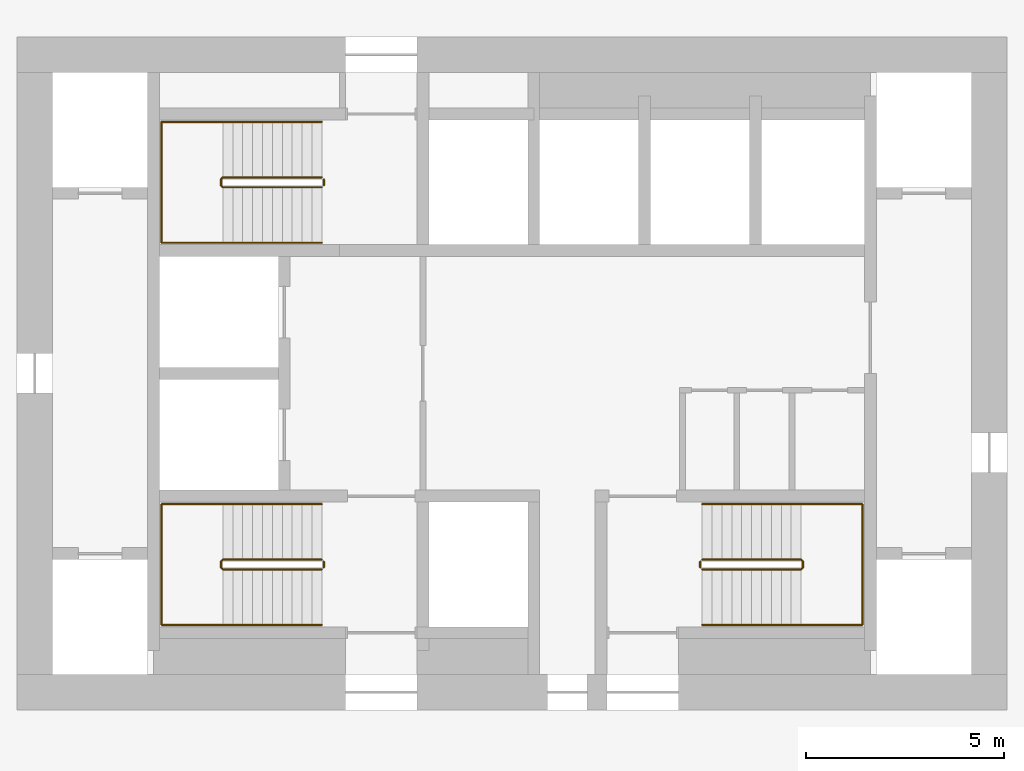
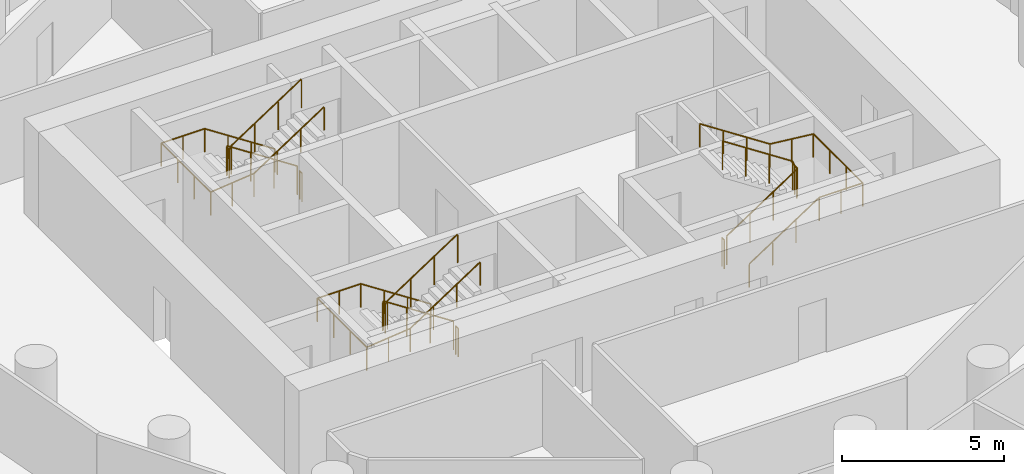
# One storey, part 10 of 10: 9 railings.
"""IFC4 building model written with IfcOpenShell, lengths in metres."""

from ifc_helpers import new_model, si_unit, direction, frame, origin, origin_2d, place, context, subcontext, project, spatial, circle, extrude, material, type_object, element, save


model = new_model("IFC4")

# Units and contexts
model_context = context("Model", 3, precision=1e-05, world=origin(), true_north=direction((0.0, 1.0)))
body_context = subcontext(model_context, "Body", "Model", "MODEL_VIEW")
ifc_project = project(units=[si_unit("LENGTHUNIT", "METRE"), si_unit("AREAUNIT", "SQUARE_METRE"), si_unit("VOLUMEUNIT", "CUBIC_METRE"), si_unit("PLANEANGLEUNIT", "RADIAN"), si_unit("MASSUNIT", "GRAM", prefix="KILO")], contexts=[model_context])

# Site, building, storey
site_placement = place(None, origin())
site = spatial("IfcSite", under=ifc_project, at=site_placement, CompositionType="ELEMENT")
building_placement = place(site_placement, origin())
building = spatial("IfcBuilding", under=site, at=building_placement, Name="Tracery Tower", CompositionType="ELEMENT")
storey_placement = place(building_placement, frame((0.0, 0.0, 212.39990234375)))
storey = spatial("IfcBuildingStorey", under=building, at=storey_placement, Name="L55", CompositionType="ELEMENT", Elevation=212.39990234375)

# Railings
ifc_material_1 = material(Name="Stainless steel and laminated glass", Category="steel")
railing_type_1 = type_object("IfcRailingType", Name="Stair guard 1100", PredefinedType="GUARDRAIL", material=ifc_material_1)
railing_1_placement = place(storey_placement, frame((-4.800048828125, -4.699951171875, 0.163818359375)))
element("IfcRailing", 1, at=railing_1_placement, inside=storey, type_object=railing_type_1, Name="L55 stair ST1 guard 1", PredefinedType="GUARDRAIL", context=body_context, shape_type="SweptSolid", body=[
    extrude(circle(Radius=0.02392578125, at=origin_2d()), frame((0.0, 0.0, 1.076171875), z_axis=(-0.836721939367, 0.0, 0.547627972425), x_axis=(0.0, -1.0, 0.0)), (0.0, 0.0, 1.0), 2.98779296875),
    extrude(circle(Radius=0.02392578125, at=origin_2d()), frame((-2.5, 0.0, 2.71240234375), z_axis=(-0.707106781187, -0.707106781187, 0.0), x_axis=(0.707106781187, -0.707106781187, 0.0)), (0.0, 0.0, 1.0), 0.07080078125),
    extrude(circle(Radius=0.02392578125, at=origin_2d()), frame((-2.550048828125, -0.050048828125, 2.71240234375), z_axis=(0.0, -1.0, 0.0), x_axis=(1.0, 0.0, 0.0)), (0.0, 0.0, 1.0), 0.14990234375),
    extrude(circle(Radius=0.02392578125, at=origin_2d()), frame((-2.550048828125, -0.199951171875, 2.71240234375), z_axis=(0.280808744504, -0.280808744504, 0.917765164963), x_axis=(0.707106781187, 0.707106781187, 0.0)), (0.0, 0.0, 1.0), 0.17822265625),
    extrude(circle(Radius=0.02392578125, at=origin_2d()), frame((-2.5, -0.25, 2.8759765625), z_axis=(0.83668449804, 0.0, 0.54768517484), x_axis=(0.0, 1.0, 0.0)), (0.0, 0.0, 1.0), 2.988037109375),
    extrude(circle(Radius=0.02099609375, at=origin_2d()), origin(), (0.0, 0.0, 1.0), 1.052001953125),
    extrude(circle(Radius=0.02099609375, at=origin_2d()), frame((-0.833251953125, 0.0, 0.54541015625)), (0.0, 0.0, 1.0), 1.052001953125),
    extrude(circle(Radius=0.02099609375, at=origin_2d()), frame((-1.666748046875, 0.0, 1.0908203125)), (0.0, 0.0, 1.0), 1.052001953125),
    extrude(circle(Radius=0.02099609375, at=origin_2d()), frame((-2.5, 0.0, 1.63623046875)), (0.0, 0.0, 1.0), 1.052001953125),
    extrude(circle(Radius=0.02099609375, at=origin_2d()), frame((-2.550048828125, -0.050048828125, 1.63623046875)), (0.0, 0.0, 1.0), 1.052001953125),
    extrude(circle(Radius=0.02099609375, at=origin_2d()), frame((-2.550048828125, -0.199951171875, 1.63623046875)), (0.0, 0.0, 1.0), 1.052001953125),
    extrude(circle(Radius=0.02099609375, at=origin_2d()), frame((-2.5, -0.25, 1.7998046875)), (0.0, 0.0, 1.0), 1.052001953125),
    extrude(circle(Radius=0.02099609375, at=origin_2d()), frame((-1.666748046875, -0.25, 2.34521484375)), (0.0, 0.0, 1.0), 1.052001953125),
    extrude(circle(Radius=0.02099609375, at=origin_2d()), frame((-0.833251953125, -0.25, 2.890869140625)), (0.0, 0.0, 1.0), 1.052001953125),
    extrude(circle(Radius=0.02099609375, at=origin_2d()), frame((0.0, -0.25, 3.436279296875)), (0.0, 0.0, 1.0), 1.052001953125),
])
railing_2_placement = place(storey_placement, frame((-4.75, -4.75, 0.0)))
element("IfcRailing", 2, at=railing_2_placement, inside=storey, type_object=railing_type_1, Name="L55 stair ST1 guard 2", PredefinedType="GUARDRAIL", context=body_context, shape_type="SweptSolid", body=[
    extrude(circle(Radius=0.02392578125, at=origin_2d()), frame((0.0, 0.0, 1.076171875), z_axis=(0.0, -1.0, 0.0), x_axis=(1.0, 0.0, 0.0)), (0.0, 0.0, 1.0), 0.14990234375),
    extrude(circle(Radius=0.02099609375, at=origin_2d()), origin(), (0.0, 0.0, 1.0), 1.052001953125),
    extrude(circle(Radius=0.02099609375, at=origin_2d()), frame((0.0, -0.14990234375, 0.0)), (0.0, 0.0, 1.0), 1.052001953125),
])
railing_3_placement = place(storey_placement, frame((-4.800048828125, 4.949951171875, 0.163818359375)))
element("IfcRailing", 3, at=railing_3_placement, inside=storey, type_object=railing_type_1, Name="L55 stair ST3 guard 1", PredefinedType="GUARDRAIL", context=body_context, shape_type="SweptSolid", body=[
    extrude(circle(Radius=0.02392578125, at=origin_2d()), frame((0.0, 0.0, 1.076171875), z_axis=(-0.836721939367, 0.0, 0.547627972425), x_axis=(0.0, -1.0, 0.0)), (0.0, 0.0, 1.0), 2.98779296875),
    extrude(circle(Radius=0.02392578125, at=origin_2d()), frame((-2.5, 0.0, 2.71240234375), z_axis=(-0.707106781187, -0.707106781187, 0.0), x_axis=(0.707106781187, -0.707106781187, 0.0)), (0.0, 0.0, 1.0), 0.07080078125),
    extrude(circle(Radius=0.02392578125, at=origin_2d()), frame((-2.550048828125, -0.050048828125, 2.71240234375), z_axis=(0.0, -1.0, 0.0), x_axis=(1.0, 0.0, 0.0)), (0.0, 0.0, 1.0), 0.14990234375),
    extrude(circle(Radius=0.02392578125, at=origin_2d()), frame((-2.550048828125, -0.199951171875, 2.71240234375), z_axis=(0.280808744504, -0.280808744504, 0.917765164963), x_axis=(0.707106781187, 0.707106781187, 0.0)), (0.0, 0.0, 1.0), 0.17822265625),
    extrude(circle(Radius=0.02392578125, at=origin_2d()), frame((-2.5, -0.25, 2.8759765625), z_axis=(0.83668449804, 0.0, 0.54768517484), x_axis=(0.0, 1.0, 0.0)), (0.0, 0.0, 1.0), 2.988037109375),
    extrude(circle(Radius=0.02099609375, at=origin_2d()), origin(), (0.0, 0.0, 1.0), 1.052001953125),
    extrude(circle(Radius=0.02099609375, at=origin_2d()), frame((-0.833251953125, 0.0, 0.54541015625)), (0.0, 0.0, 1.0), 1.052001953125),
    extrude(circle(Radius=0.02099609375, at=origin_2d()), frame((-1.666748046875, 0.0, 1.0908203125)), (0.0, 0.0, 1.0), 1.052001953125),
    extrude(circle(Radius=0.02099609375, at=origin_2d()), frame((-2.5, 0.0, 1.63623046875)), (0.0, 0.0, 1.0), 1.052001953125),
    extrude(circle(Radius=0.02099609375, at=origin_2d()), frame((-2.550048828125, -0.050048828125, 1.63623046875)), (0.0, 0.0, 1.0), 1.052001953125),
    extrude(circle(Radius=0.02099609375, at=origin_2d()), frame((-2.550048828125, -0.199951171875, 1.63623046875)), (0.0, 0.0, 1.0), 1.052001953125),
    extrude(circle(Radius=0.02099609375, at=origin_2d()), frame((-2.5, -0.25, 1.7998046875)), (0.0, 0.0, 1.0), 1.052001953125),
    extrude(circle(Radius=0.02099609375, at=origin_2d()), frame((-1.666748046875, -0.25, 2.34521484375)), (0.0, 0.0, 1.0), 1.052001953125),
    extrude(circle(Radius=0.02099609375, at=origin_2d()), frame((-0.833251953125, -0.25, 2.890869140625)), (0.0, 0.0, 1.0), 1.052001953125),
    extrude(circle(Radius=0.02099609375, at=origin_2d()), frame((0.0, -0.25, 3.436279296875)), (0.0, 0.0, 1.0), 1.052001953125),
])
railing_4_placement = place(storey_placement, frame((-4.75, 4.89990234375, 0.0)))
element("IfcRailing", 4, at=railing_4_placement, inside=storey, type_object=railing_type_1, Name="L55 stair ST3 guard 2", PredefinedType="GUARDRAIL", context=body_context, shape_type="SweptSolid", body=[
    extrude(circle(Radius=0.02392578125, at=origin_2d()), frame((0.0, 0.0, 1.076171875), z_axis=(0.0, -1.0, 0.0), x_axis=(1.0, 0.0, 0.0)), (0.0, 0.0, 1.0), 0.14990234375),
    extrude(circle(Radius=0.02099609375, at=origin_2d()), origin(), (0.0, 0.0, 1.0), 1.052001953125),
    extrude(circle(Radius=0.02099609375, at=origin_2d()), frame((0.0, -0.14990234375, 0.0)), (0.0, 0.0, 1.0), 1.052001953125),
])
railing_5_placement = place(storey_placement, frame((4.800048828125, -4.949951171875, 0.163818359375)))
element("IfcRailing", 5, at=railing_5_placement, inside=storey, type_object=railing_type_1, Name="L55 stair ST2 guard 1", PredefinedType="GUARDRAIL", context=body_context, shape_type="SweptSolid", body=[
    extrude(circle(Radius=0.02392578125, at=origin_2d()), frame((0.0, 0.0, 1.076171875), z_axis=(0.836721939367, 0.0, 0.547627972425), x_axis=(0.0, 1.0, 0.0)), (0.0, 0.0, 1.0), 2.98779296875),
    extrude(circle(Radius=0.02392578125, at=origin_2d()), frame((2.5, 0.0, 2.71240234375), z_axis=(0.707106781187, 0.707106781187, 0.0), x_axis=(-0.707106781187, 0.707106781187, 0.0)), (0.0, 0.0, 1.0), 0.07080078125),
    extrude(circle(Radius=0.02392578125, at=origin_2d()), frame((2.550048828125, 0.050048828125, 2.71240234375), z_axis=(0.0, 1.0, 0.0), x_axis=(-1.0, 0.0, 0.0)), (0.0, 0.0, 1.0), 0.14990234375),
    extrude(circle(Radius=0.02392578125, at=origin_2d()), frame((2.550048828125, 0.199951171875, 2.71240234375), z_axis=(-0.280808744504, 0.280808744504, 0.917765164963), x_axis=(-0.707106781187, -0.707106781187, 0.0)), (0.0, 0.0, 1.0), 0.17822265625),
    extrude(circle(Radius=0.02392578125, at=origin_2d()), frame((2.5, 0.25, 2.8759765625), z_axis=(-0.83668449804, 0.0, 0.54768517484), x_axis=(0.0, -1.0, 0.0)), (0.0, 0.0, 1.0), 2.988037109375),
    extrude(circle(Radius=0.02099609375, at=origin_2d()), origin(), (0.0, 0.0, 1.0), 1.052001953125),
    extrude(circle(Radius=0.02099609375, at=origin_2d()), frame((0.833251953125, 0.0, 0.54541015625)), (0.0, 0.0, 1.0), 1.052001953125),
    extrude(circle(Radius=0.02099609375, at=origin_2d()), frame((1.666748046875, 0.0, 1.0908203125)), (0.0, 0.0, 1.0), 1.052001953125),
    extrude(circle(Radius=0.02099609375, at=origin_2d()), frame((2.5, 0.0, 1.63623046875)), (0.0, 0.0, 1.0), 1.052001953125),
    extrude(circle(Radius=0.02099609375, at=origin_2d()), frame((2.550048828125, 0.050048828125, 1.63623046875)), (0.0, 0.0, 1.0), 1.052001953125),
    extrude(circle(Radius=0.02099609375, at=origin_2d()), frame((2.550048828125, 0.199951171875, 1.63623046875)), (0.0, 0.0, 1.0), 1.052001953125),
    extrude(circle(Radius=0.02099609375, at=origin_2d()), frame((2.5, 0.25, 1.7998046875)), (0.0, 0.0, 1.0), 1.052001953125),
    extrude(circle(Radius=0.02099609375, at=origin_2d()), frame((1.666748046875, 0.25, 2.34521484375)), (0.0, 0.0, 1.0), 1.052001953125),
    extrude(circle(Radius=0.02099609375, at=origin_2d()), frame((0.833251953125, 0.25, 2.890869140625)), (0.0, 0.0, 1.0), 1.052001953125),
    extrude(circle(Radius=0.02099609375, at=origin_2d()), frame((0.0, 0.25, 3.436279296875)), (0.0, 0.0, 1.0), 1.052001953125),
])
railing_6_placement = place(storey_placement, frame((4.75, -4.89990234375, 0.0)))
element("IfcRailing", 6, at=railing_6_placement, inside=storey, type_object=railing_type_1, Name="L55 stair ST2 guard 2", PredefinedType="GUARDRAIL", context=body_context, shape_type="SweptSolid", body=[
    extrude(circle(Radius=0.02392578125, at=origin_2d()), frame((0.0, 0.0, 1.076171875), z_axis=(0.0, 1.0, 0.0), x_axis=(-1.0, 0.0, 0.0)), (0.0, 0.0, 1.0), 0.14990234375),
    extrude(circle(Radius=0.02099609375, at=origin_2d()), origin(), (0.0, 0.0, 1.0), 1.052001953125),
    extrude(circle(Radius=0.02099609375, at=origin_2d()), frame((0.0, 0.14990234375, 0.0)), (0.0, 0.0, 1.0), 1.052001953125),
])
ifc_material_2 = material(Name="Stainless steel and laminated glass", Category="steel")
railing_type_2 = type_object("IfcRailingType", Name="Stair handrail 900", PredefinedType="HANDRAIL", material=ifc_material_2)
railing_7_placement = place(storey_placement, frame((-4.800048828125, -3.300048828125, 0.163818359375)))
element("IfcRailing", 7, at=railing_7_placement, inside=storey, type_object=railing_type_2, Name="L55 stair ST1 handrail 1", PredefinedType="HANDRAIL", context=body_context, shape_type="SweptSolid", body=[
    extrude(circle(Radius=0.02392578125, at=origin_2d()), frame((0.0, 0.0, 0.8759765625), z_axis=(-0.836721939367, 0.0, 0.547627972425), x_axis=(0.0, -1.0, 0.0)), (0.0, 0.0, 1.0), 2.98779296875),
    extrude(circle(Radius=0.02392578125, at=origin_2d()), frame((-2.5, 0.0, 2.51220703125), z_axis=(-1.0, 0.0, 0.0), x_axis=(0.0, -1.0, 0.0)), (0.0, 0.0, 1.0), 1.550048828125),
    extrude(circle(Radius=0.02392578125, at=origin_2d()), frame((-4.050048828125, 0.0, 2.51220703125), z_axis=(0.0, -1.0, 0.0), x_axis=(1.0, 0.0, 0.0)), (0.0, 0.0, 1.0), 3.050048828125),
    extrude(circle(Radius=0.02392578125, at=origin_2d()), frame((-4.050048828125, -3.050048828125, 2.51220703125), z_axis=(0.994477953863, 0.0, 0.104945696817), x_axis=(0.0, 1.0, 0.0)), (0.0, 0.0, 1.0), 1.55859375),
    extrude(circle(Radius=0.02392578125, at=origin_2d()), frame((-2.5, -3.050048828125, 2.67578125), z_axis=(0.83668449804, 0.0, 0.54768517484), x_axis=(0.0, 1.0, 0.0)), (0.0, 0.0, 1.0), 2.988037109375),
    extrude(circle(Radius=0.02099609375, at=origin_2d()), origin(), (0.0, 0.0, 1.0), 0.851806640625),
    extrude(circle(Radius=0.02099609375, at=origin_2d()), frame((-0.833251953125, 0.0, 0.54541015625)), (0.0, 0.0, 1.0), 0.851806640625),
    extrude(circle(Radius=0.02099609375, at=origin_2d()), frame((-1.666748046875, 0.0, 1.0908203125)), (0.0, 0.0, 1.0), 0.851806640625),
    extrude(circle(Radius=0.02099609375, at=origin_2d()), frame((-2.5, 0.0, 1.63623046875)), (0.0, 0.0, 1.0), 0.851806640625),
    extrude(circle(Radius=0.02099609375, at=origin_2d()), frame((-3.27490234375, 0.0, 1.63623046875)), (0.0, 0.0, 1.0), 0.851806640625),
    extrude(circle(Radius=0.02099609375, at=origin_2d()), frame((-4.050048828125, 0.0, 1.63623046875)), (0.0, 0.0, 1.0), 0.851806640625),
    extrude(circle(Radius=0.02099609375, at=origin_2d()), frame((-4.050048828125, -1.0166015625, 1.63623046875)), (0.0, 0.0, 1.0), 0.851806640625),
    extrude(circle(Radius=0.02099609375, at=origin_2d()), frame((-4.050048828125, -2.033447265625, 1.63623046875)), (0.0, 0.0, 1.0), 0.851806640625),
    extrude(circle(Radius=0.02099609375, at=origin_2d()), frame((-4.050048828125, -3.050048828125, 1.63623046875)), (0.0, 0.0, 1.0), 0.851806640625),
    extrude(circle(Radius=0.02099609375, at=origin_2d()), frame((-3.27490234375, -3.050048828125, 1.718017578125)), (0.0, 0.0, 1.0), 0.851806640625),
    extrude(circle(Radius=0.02099609375, at=origin_2d()), frame((-2.5, -3.050048828125, 1.7998046875)), (0.0, 0.0, 1.0), 0.851806640625),
    extrude(circle(Radius=0.02099609375, at=origin_2d()), frame((-1.666748046875, -3.050048828125, 2.34521484375)), (0.0, 0.0, 1.0), 0.851806640625),
    extrude(circle(Radius=0.02099609375, at=origin_2d()), frame((-0.833251953125, -3.050048828125, 2.890869140625)), (0.0, 0.0, 1.0), 0.851806640625),
    extrude(circle(Radius=0.02099609375, at=origin_2d()), frame((0.0, -3.050048828125, 3.436279296875)), (0.0, 0.0, 1.0), 0.851806640625),
])
railing_8_placement = place(storey_placement, frame((-4.800048828125, 6.35009765625, 0.163818359375)))
element("IfcRailing", 8, at=railing_8_placement, inside=storey, type_object=railing_type_2, Name="L55 stair ST3 handrail 1", PredefinedType="HANDRAIL", context=body_context, shape_type="SweptSolid", body=[
    extrude(circle(Radius=0.02392578125, at=origin_2d()), frame((0.0, 0.0, 0.8759765625), z_axis=(-0.836721939367, 0.0, 0.547627972425), x_axis=(0.0, -1.0, 0.0)), (0.0, 0.0, 1.0), 2.98779296875),
    extrude(circle(Radius=0.02392578125, at=origin_2d()), frame((-2.5, 0.0, 2.51220703125), z_axis=(-1.0, 0.0, 0.0), x_axis=(0.0, -1.0, 0.0)), (0.0, 0.0, 1.0), 1.550048828125),
    extrude(circle(Radius=0.02392578125, at=origin_2d()), frame((-4.050048828125, 0.0, 2.51220703125), z_axis=(0.0, -1.0, 0.0), x_axis=(1.0, 0.0, 0.0)), (0.0, 0.0, 1.0), 3.050048828125),
    extrude(circle(Radius=0.02392578125, at=origin_2d()), frame((-4.050048828125, -3.050048828125, 2.51220703125), z_axis=(0.994477953863, 0.0, 0.104945696817), x_axis=(0.0, 1.0, 0.0)), (0.0, 0.0, 1.0), 1.55859375),
    extrude(circle(Radius=0.02392578125, at=origin_2d()), frame((-2.5, -3.050048828125, 2.67578125), z_axis=(0.83668449804, 0.0, 0.54768517484), x_axis=(0.0, 1.0, 0.0)), (0.0, 0.0, 1.0), 2.988037109375),
    extrude(circle(Radius=0.02099609375, at=origin_2d()), origin(), (0.0, 0.0, 1.0), 0.851806640625),
    extrude(circle(Radius=0.02099609375, at=origin_2d()), frame((-0.833251953125, 0.0, 0.54541015625)), (0.0, 0.0, 1.0), 0.851806640625),
    extrude(circle(Radius=0.02099609375, at=origin_2d()), frame((-1.666748046875, 0.0, 1.0908203125)), (0.0, 0.0, 1.0), 0.851806640625),
    extrude(circle(Radius=0.02099609375, at=origin_2d()), frame((-2.5, 0.0, 1.63623046875)), (0.0, 0.0, 1.0), 0.851806640625),
    extrude(circle(Radius=0.02099609375, at=origin_2d()), frame((-3.27490234375, 0.0, 1.63623046875)), (0.0, 0.0, 1.0), 0.851806640625),
    extrude(circle(Radius=0.02099609375, at=origin_2d()), frame((-4.050048828125, 0.0, 1.63623046875)), (0.0, 0.0, 1.0), 0.851806640625),
    extrude(circle(Radius=0.02099609375, at=origin_2d()), frame((-4.050048828125, -1.0166015625, 1.63623046875)), (0.0, 0.0, 1.0), 0.851806640625),
    extrude(circle(Radius=0.02099609375, at=origin_2d()), frame((-4.050048828125, -2.033447265625, 1.63623046875)), (0.0, 0.0, 1.0), 0.851806640625),
    extrude(circle(Radius=0.02099609375, at=origin_2d()), frame((-4.050048828125, -3.050048828125, 1.63623046875)), (0.0, 0.0, 1.0), 0.851806640625),
    extrude(circle(Radius=0.02099609375, at=origin_2d()), frame((-3.27490234375, -3.050048828125, 1.718017578125)), (0.0, 0.0, 1.0), 0.851806640625),
    extrude(circle(Radius=0.02099609375, at=origin_2d()), frame((-2.5, -3.050048828125, 1.7998046875)), (0.0, 0.0, 1.0), 0.851806640625),
    extrude(circle(Radius=0.02099609375, at=origin_2d()), frame((-1.666748046875, -3.050048828125, 2.34521484375)), (0.0, 0.0, 1.0), 0.851806640625),
    extrude(circle(Radius=0.02099609375, at=origin_2d()), frame((-0.833251953125, -3.050048828125, 2.890869140625)), (0.0, 0.0, 1.0), 0.851806640625),
    extrude(circle(Radius=0.02099609375, at=origin_2d()), frame((0.0, -3.050048828125, 3.436279296875)), (0.0, 0.0, 1.0), 0.851806640625),
])
railing_9_placement = place(storey_placement, frame((4.800048828125, -6.35009765625, 0.163818359375)))
element("IfcRailing", 9, at=railing_9_placement, inside=storey, type_object=railing_type_2, Name="L55 stair ST2 handrail 1", PredefinedType="HANDRAIL", context=body_context, shape_type="SweptSolid", body=[
    extrude(circle(Radius=0.02392578125, at=origin_2d()), frame((0.0, 0.0, 0.8759765625), z_axis=(0.836721939367, 0.0, 0.547627972425), x_axis=(0.0, 1.0, 0.0)), (0.0, 0.0, 1.0), 2.98779296875),
    extrude(circle(Radius=0.02392578125, at=origin_2d()), frame((2.5, 0.0, 2.51220703125), z_axis=(1.0, 0.0, 0.0), x_axis=(0.0, 1.0, 0.0)), (0.0, 0.0, 1.0), 1.550048828125),
    extrude(circle(Radius=0.02392578125, at=origin_2d()), frame((4.050048828125, 0.0, 2.51220703125), z_axis=(0.0, 1.0, 0.0), x_axis=(-1.0, 0.0, 0.0)), (0.0, 0.0, 1.0), 3.050048828125),
    extrude(circle(Radius=0.02392578125, at=origin_2d()), frame((4.050048828125, 3.050048828125, 2.51220703125), z_axis=(-0.994477953863, 0.0, 0.104945696817), x_axis=(0.0, -1.0, 0.0)), (0.0, 0.0, 1.0), 1.55859375),
    extrude(circle(Radius=0.02392578125, at=origin_2d()), frame((2.5, 3.050048828125, 2.67578125), z_axis=(-0.83668449804, 0.0, 0.54768517484), x_axis=(0.0, -1.0, 0.0)), (0.0, 0.0, 1.0), 2.988037109375),
    extrude(circle(Radius=0.02099609375, at=origin_2d()), origin(), (0.0, 0.0, 1.0), 0.851806640625),
    extrude(circle(Radius=0.02099609375, at=origin_2d()), frame((0.833251953125, 0.0, 0.54541015625)), (0.0, 0.0, 1.0), 0.851806640625),
    extrude(circle(Radius=0.02099609375, at=origin_2d()), frame((1.666748046875, 0.0, 1.0908203125)), (0.0, 0.0, 1.0), 0.851806640625),
    extrude(circle(Radius=0.02099609375, at=origin_2d()), frame((2.5, 0.0, 1.63623046875)), (0.0, 0.0, 1.0), 0.851806640625),
    extrude(circle(Radius=0.02099609375, at=origin_2d()), frame((3.27490234375, 0.0, 1.63623046875)), (0.0, 0.0, 1.0), 0.851806640625),
    extrude(circle(Radius=0.02099609375, at=origin_2d()), frame((4.050048828125, 0.0, 1.63623046875)), (0.0, 0.0, 1.0), 0.851806640625),
    extrude(circle(Radius=0.02099609375, at=origin_2d()), frame((4.050048828125, 1.0166015625, 1.63623046875)), (0.0, 0.0, 1.0), 0.851806640625),
    extrude(circle(Radius=0.02099609375, at=origin_2d()), frame((4.050048828125, 2.033447265625, 1.63623046875)), (0.0, 0.0, 1.0), 0.851806640625),
    extrude(circle(Radius=0.02099609375, at=origin_2d()), frame((4.050048828125, 3.050048828125, 1.63623046875)), (0.0, 0.0, 1.0), 0.851806640625),
    extrude(circle(Radius=0.02099609375, at=origin_2d()), frame((3.27490234375, 3.050048828125, 1.718017578125)), (0.0, 0.0, 1.0), 0.851806640625),
    extrude(circle(Radius=0.02099609375, at=origin_2d()), frame((2.5, 3.050048828125, 1.7998046875)), (0.0, 0.0, 1.0), 0.851806640625),
    extrude(circle(Radius=0.02099609375, at=origin_2d()), frame((1.666748046875, 3.050048828125, 2.34521484375)), (0.0, 0.0, 1.0), 0.851806640625),
    extrude(circle(Radius=0.02099609375, at=origin_2d()), frame((0.833251953125, 3.050048828125, 2.890869140625)), (0.0, 0.0, 1.0), 0.851806640625),
    extrude(circle(Radius=0.02099609375, at=origin_2d()), frame((0.0, 3.050048828125, 3.436279296875)), (0.0, 0.0, 1.0), 0.851806640625),
])

save(model, "model.ifc")
